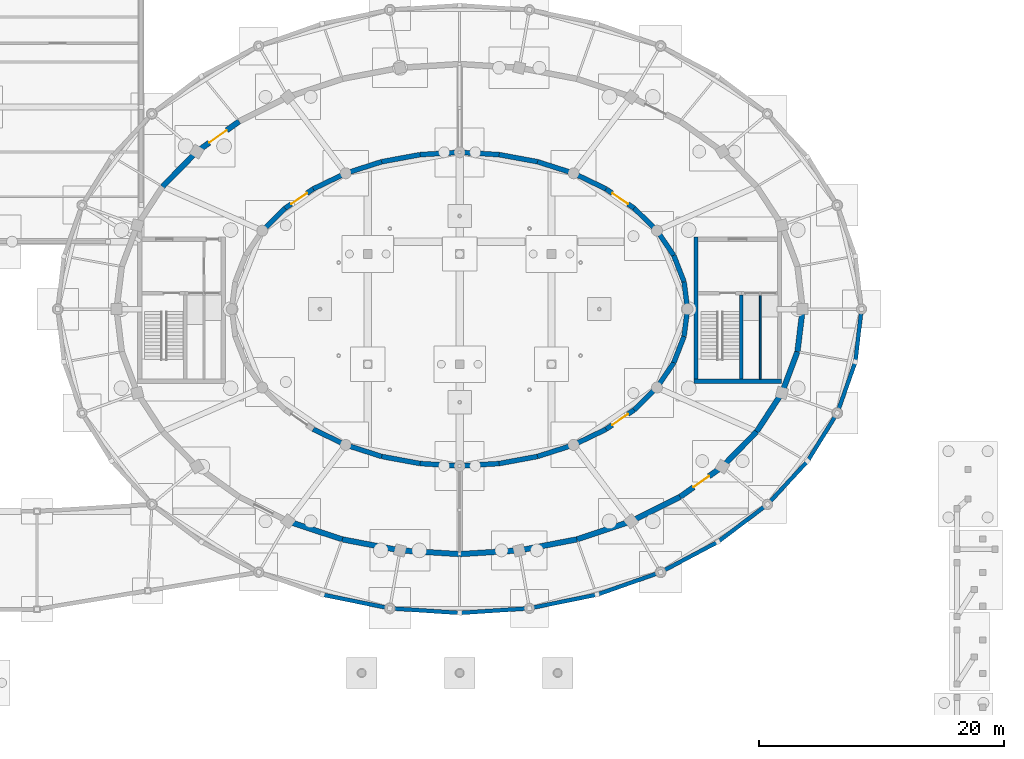
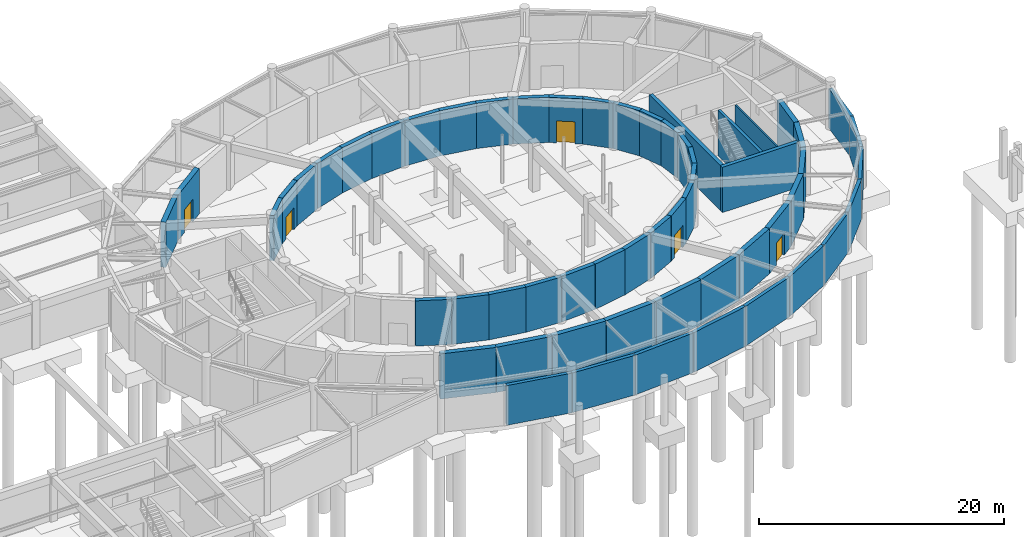
# One storey, part 21 of 42: 57 walls, 5 doors, 5 openings.
"""IFC4 building model written with IfcOpenShell, lengths in metres."""

import ifcopenshell
import ifcopenshell.guid

model = None  # the IFC model being written
_history = None  # IfcOwnerHistory: only IFC2X3 demands one
_inside = {}  # id of a spatial element -> (the spatial element, [elements in it])
_under = {}  # id of a project, library or spatial element -> (it, [spatial elements below it])
_declared = {}  # id of a project -> (the project, [libraries it declares])
_typed = {}  # id of a type object -> (the type object, [elements of that type])
_made_of = {}  # id of a material, layer set ... -> (it, [elements and type objects made of it])


def new_model(schema):
    """Start an empty IFC model of exactly this schema.

    Asked for "IFC4X3", IfcOpenShell would pick the latest addendum, in which some entities
    have other attributes; the version numbers below select the first issue.
    IFC2X3 requires an IfcOwnerHistory on every rooted entity: one is made here for all.
    """
    global model, _history
    if schema == "IFC4X3":
        model = ifcopenshell.file(schema_version=(4, 3, 0, 0))
    else:
        model = ifcopenshell.file(schema=schema)
    _inside.clear()
    _under.clear()
    _declared.clear()
    _typed.clear()
    _made_of.clear()
    _history = None
    if model.schema == "IFC2X3":
        org = make("IfcOrganization", Name="unknown")
        user = make(
            "IfcPersonAndOrganization",
            ThePerson=make("IfcPerson", FamilyName="unknown"),
            TheOrganization=org,
        )
        app = make(
            "IfcApplication",
            ApplicationDeveloper=org,
            Version="unknown",
            ApplicationFullName="unknown",
            ApplicationIdentifier="unknown",
        )
        _history = make(
            "IfcOwnerHistory",
            OwningUser=user,
            OwningApplication=app,
            ChangeAction="ADDED",
            CreationDate=0,
        )
    return model


def make(cls, **values):
    """One entity of the class cls with the attributes given. An attribute that is None is left unset."""
    return model.create_entity(
        cls, **{name: value for name, value in values.items() if value is not None}
    )


def rooted(cls, **values):
    """An entity with a GlobalId (a new one), such as an element, a storey or a relation."""
    return make(cls, GlobalId=ifcopenshell.guid.new(), OwnerHistory=_history, **values)


def si_unit(unit_type, name, prefix=None):
    """IfcSIUnit, for example si_unit("LENGTHUNIT", "METRE", prefix="MILLI")."""
    return make("IfcSIUnit", UnitType=unit_type, Prefix=prefix, Name=name)


def assignment(units):
    """IfcUnitAssignment: the units of a project."""
    return None if units is None else make("IfcUnitAssignment", Units=units)


def point(xyz):
    """IfcCartesianPoint."""
    return None if xyz is None else make("IfcCartesianPoint", Coordinates=xyz)


def direction(xyz):
    """IfcDirection."""
    return None if xyz is None else make("IfcDirection", DirectionRatios=xyz)


def frame(location, z_axis=None, x_axis=None):
    """IfcAxis2Placement3D, a coordinate frame: its origin and axes. An axis left out is left unset."""
    return make(
        "IfcAxis2Placement3D",
        Location=point(location),
        Axis=direction(z_axis),
        RefDirection=direction(x_axis),
    )


def frame_2d(location, x_axis=None):
    """IfcAxis2Placement2D, a coordinate frame in the plane: its origin and x axis."""
    return make(
        "IfcAxis2Placement2D", Location=point(location), RefDirection=direction(x_axis)
    )


def origin():
    """The frame at (0, 0, 0) with its axes left unset."""
    return frame((0.0, 0.0, 0.0))


def place(relative_to, where):
    """IfcLocalPlacement: puts the frame where relative to a parent placement (None: the world)."""
    return make(
        "IfcLocalPlacement", PlacementRelTo=relative_to, RelativePlacement=where
    )


def context(
    kind, dimensions, precision=None, world=None, true_north=None, identifier=None
):
    """IfcGeometricRepresentationContext, for example the 3D "Model" context."""
    return make(
        "IfcGeometricRepresentationContext",
        ContextIdentifier=identifier,
        ContextType=kind,
        CoordinateSpaceDimension=dimensions,
        Precision=precision,
        WorldCoordinateSystem=world,
        TrueNorth=true_north,
    )


def subcontext(parent, identifier, kind, view, scale=None):
    """IfcGeometricRepresentationSubContext, for example "Body" below "Model"."""
    return make(
        "IfcGeometricRepresentationSubContext",
        ContextIdentifier=identifier,
        ContextType=kind,
        ParentContext=parent,
        TargetScale=scale,
        TargetView=view,
    )


def project(units=None, contexts=None):
    """IfcProject with its units and contexts."""
    return rooted(
        "IfcProject",
        Name="project",
        RepresentationContexts=contexts,
        UnitsInContext=assignment(units),
    )


def spatial(cls, under=None, at=None, **own):
    """A site, building, storey or space (cls), placed at a placement, below another one or the project."""
    s = rooted(cls, ObjectPlacement=at, **own)
    if under is not None:
        _under.setdefault(under.id(), (under, []))[1].append(s)
    return s


def profile(cls, at=None, kind="AREA", **sizes):
    """A parametric profile (cls). Its sizes go by their IFC names, for example OverallWidth=200.0."""
    return make(cls, ProfileType=kind, Position=at, **sizes)


def rectangle(**sizes):
    """IfcRectangleProfileDef."""
    return profile("IfcRectangleProfileDef", **sizes)


def extrude(swept, where, along, depth):
    """IfcExtrudedAreaSolid: the profile swept, set in the frame where, extruded along a direction by depth."""
    return make(
        "IfcExtrudedAreaSolid",
        SweptArea=swept,
        Position=where,
        ExtrudedDirection=direction(along),
        Depth=depth,
    )


def shape(context_of_items, identifier, shape_type, items):
    """IfcShapeRepresentation: the items that make up one representation, for example the "Body"."""
    return make(
        "IfcShapeRepresentation",
        ContextOfItems=context_of_items,
        RepresentationIdentifier=identifier,
        RepresentationType=shape_type,
        Items=items,
    )


def material(Name=None, Category=None):
    """IfcMaterial."""
    return make("IfcMaterial", Name=Name, Category=Category)


def layer(
    of_material, thickness, ventilated=None, Name=None, Category=None, Priority=None
):
    """IfcMaterialLayer: one layer of a wall or slab, of a material (None: an air gap)."""
    return make(
        "IfcMaterialLayer",
        Material=of_material,
        LayerThickness=thickness,
        IsVentilated=ventilated,
        Name=Name,
        Category=Category,
        Priority=Priority,
    )


def layer_set(layers, Name=None):
    """IfcMaterialLayerSet."""
    return make("IfcMaterialLayerSet", MaterialLayers=layers, LayerSetName=Name)


def made_of(thing, what):
    """Note that an element or type object is made of a material, layer set ...; save() writes the relation."""
    if what is not None:
        _made_of.setdefault(what.id(), (what, []))[1].append(thing)
    return thing


def type_object(cls, material=None, **own):
    """A type object (cls), such as IfcWallType, which elements share."""
    return made_of(rooted(cls, **own), material)


def element(
    cls,
    number,
    at=None,
    inside=None,
    cuts=None,
    type_object=None,
    material=None,
    context=None,
    identifier="Body",
    shape_type=None,
    held_by="IfcProductDefinitionShape",
    body=None,
    shapes=None,
    **own,
):
    """One element of the class cls, such as IfcWall. Its Tag is "e" and its number.

    at: its placement. inside: the storey or other place that contains it. cuts: it is an
    opening in that element (IfcRelVoidsElement). A single representation is given by context,
    identifier, shape_type and body (its items); several are given by shapes. held_by: the class
    of the entity that holds the representations. save() writes the other relations.
    """
    e = rooted(cls, Tag="e%d" % number, ObjectPlacement=at, **own)
    if body is not None:
        shapes = [shape(context, identifier, shape_type, body)]
    if shapes is not None:
        e.Representation = make(held_by, Representations=shapes)
    if inside is not None:
        _inside.setdefault(inside.id(), (inside, []))[1].append(e)
    if cuts is not None:
        rooted(
            "IfcRelVoidsElement", RelatingBuildingElement=cuts, RelatedOpeningElement=e
        )
    if type_object is not None:
        _typed.setdefault(type_object.id(), (type_object, []))[1].append(e)
    return made_of(e, material)


def fill(opening, filler):
    """IfcRelFillsElement: the door or window that sits in an opening."""
    return rooted(
        "IfcRelFillsElement",
        RelatingOpeningElement=opening,
        RelatedBuildingElement=filler,
    )


def aggregate(whole, parts):
    """IfcRelAggregates: a whole, such as a stair, and the parts it consists of."""
    return rooted("IfcRelAggregates", RelatingObject=whole, RelatedObjects=parts)


def save(model, path):
    """Write the relations noted so far, then the file.

    IfcRelAggregates (storeys below a building ...), IfcRelContainedInSpatialStructure (elements
    in a storey), IfcRelDefinesByType, IfcRelAssociatesMaterial and IfcRelDeclares: one each for
    every whole, place, type object, material and project.
    """
    for whole, parts in _under.values():
        aggregate(whole, parts)
    for where, things in _inside.values():
        rooted(
            "IfcRelContainedInSpatialStructure",
            RelatedElements=things,
            RelatingStructure=where,
        )
    for kind, things in _typed.values():
        rooted("IfcRelDefinesByType", RelatedObjects=things, RelatingType=kind)
    for what, things in _made_of.values():
        rooted("IfcRelAssociatesMaterial", RelatedObjects=things, RelatingMaterial=what)
    for by, libraries in _declared.values():
        rooted("IfcRelDeclares", RelatingContext=by, RelatedDefinitions=libraries)
    model.write(path)


model = new_model("IFC4")

# Units and contexts
model_context = context("Model", 3, precision=1e-05, world=origin(), true_north=direction((0.0, 1.0)))
body_context = subcontext(model_context, "Body", "Model", "MODEL_VIEW")
ifc_project = project(units=[si_unit("LENGTHUNIT", "METRE"), si_unit("AREAUNIT", "SQUARE_METRE"), si_unit("VOLUMEUNIT", "CUBIC_METRE"), si_unit("PLANEANGLEUNIT", "RADIAN"), si_unit("MASSUNIT", "GRAM", prefix="KILO")], contexts=[model_context])

# Site, building, storey
site_placement = place(None, origin())
site = spatial("IfcSite", under=ifc_project, at=site_placement, CompositionType="ELEMENT")
building_placement = place(site_placement, origin())
building = spatial("IfcBuilding", under=site, at=building_placement, Name="Tarnveldt Headland Concert Hall", CompositionType="ELEMENT")
storey_placement = place(building_placement, frame((0.0, 0.0, -4.800048828125)))
storey = spatial("IfcBuildingStorey", under=building, at=storey_placement, Name="B1", CompositionType="ELEMENT", Elevation=-4.800048828125)

# Walls
ifc_material_1 = material(Name="Concrete C40/50", Category="concrete")
ifc_layer_1 = layer(ifc_material_1, 0.39990234375, Name="Concrete C40/50", Category="concrete")
ifc_layer_set_1 = layer_set([ifc_layer_1], Name="Concrete C40/50")
wall_type_1 = type_object("IfcWallType", Name="WL-AC400", PredefinedType="SOLIDWALL", material=ifc_layer_set_1)
wall_1_placement = place(storey_placement, frame((102.10009765625, 54.5, 0.0), z_axis=(0.0, 0.0, 1.0), x_axis=(-0.126180195213, 0.992007337844, 0.0)))
element("IfcWall", 1, at=wall_1_placement, inside=storey, type_object=wall_type_1, Name="Acoustic inner box wall B1-1", PredefinedType="SOLIDWALL", context=body_context, shape_type="SweptSolid", body=[
    extrude(rectangle(XDim=2.240478515625, YDim=0.39990234375, at=frame_2d((1.1201171875, 0.0))), origin(), (0.0, 0.0, 1.0), 4.5),
])
wall_2_placement = place(storey_placement, frame((101.8173828125, 56.72265625, 0.0), z_axis=(0.0, 0.0, 1.0), x_axis=(-0.362802811216, 0.931865934657, 0.0)))
element("IfcWall", 2, at=wall_2_placement, inside=storey, type_object=wall_type_1, Name="Acoustic inner box wall B1-2", PredefinedType="SOLIDWALL", context=body_context, shape_type="SweptSolid", body=[
    extrude(rectangle(XDim=2.312744140625, YDim=0.39990234375, at=frame_2d((1.15625, 0.0))), origin(), (0.0, 0.0, 1.0), 4.5),
])
wall_3_placement = place(storey_placement, frame((100.978271484375, 58.8779296875, 0.0), z_axis=(0.0, 0.0, 1.0), x_axis=(-0.560958648975, 0.827843822312, 0.0)))
element("IfcWall", 3, at=wall_3_placement, inside=storey, type_object=wall_type_1, Name="Acoustic inner box wall B1-3", PredefinedType="SOLIDWALL", context=body_context, shape_type="SweptSolid", body=[
    extrude(rectangle(XDim=2.4423828125, YDim=0.39990234375, at=frame_2d((1.22119140625, 0.0))), origin(), (0.0, 0.0, 1.0), 4.5),
])
wall_4_placement = place(storey_placement, frame((99.608154296875, 60.89990234375, 0.0), z_axis=(0.0, 0.0, 1.0), x_axis=(-0.713212431679, 0.700947949065, 0.0)))
element("IfcWall", 4, at=wall_4_placement, inside=storey, type_object=wall_type_1, Name="Acoustic inner box wall B1-4", PredefinedType="SOLIDWALL", context=body_context, shape_type="SweptSolid", body=[
    extrude(rectangle(XDim=2.607666015625, YDim=0.39990234375, at=frame_2d((1.3037109375, 0.0))), origin(), (0.0, 0.0, 1.0), 4.5),
])

# Wall, opening, door
wall_5_placement = place(storey_placement, frame((97.748291015625, 62.727783203125, 0.0), z_axis=(0.0, 0.0, 1.0), x_axis=(-0.823780742291, 0.566908536388, 0.0)))
wall_5 = element("IfcWall", 5, at=wall_5_placement, inside=storey, type_object=wall_type_1, Name="Acoustic inner box wall B1-5", PredefinedType="SOLIDWALL", context=body_context, shape_type="SweptSolid", body=[
    extrude(rectangle(XDim=2.782958984375, YDim=0.39990234375, at=frame_2d((1.3916015625, 0.0))), origin(), (0.0, 0.0, 1.0), 4.5),
])
opening_1_placement = place(wall_5_placement, frame((0.616455078125, 0.0, 0.0)))
opening_1 = element("IfcOpeningElement", 6, at=opening_1_placement, cuts=wall_5, Name="Opening AD-I025", PredefinedType="OPENING", context=body_context, shape_type="SweptSolid", body=[
    extrude(rectangle(XDim=1.550048828125, YDim=2.179931640625, at=frame_2d((0.77490234375, 1.08984375))), frame((0.0, 0.2099609375, 0.0), z_axis=(0.0, -1.0, 0.0), x_axis=(1.0, 0.0, 0.0)), (0.0, 0.0, 1.0), 0.419921875),
])
ifc_material_2 = material(Name="Treated East African mvule hardwood", Category="wood")
door_type_1 = type_object("IfcDoorType", Name="DR-AC155", OperationType="NOTDEFINED", PredefinedType="DOOR", material=ifc_material_2)
door_1_placement = place(opening_1_placement, origin())
door_1 = element("IfcDoor", 7, at=door_1_placement, inside=storey, type_object=door_type_1, Name="Auditorium sound-lock vomitory door B1-5", OperationType="SINGLE_SWING_LEFT", OverallHeight=2.179931640625, OverallWidth=1.550048828125, PredefinedType="DOOR", context=body_context, shape_type="SweptSolid", body=[
    extrude(rectangle(XDim=1.550048828125, YDim=2.179931640625, at=frame_2d((0.77490234375, 1.08984375))), frame((0.0, 0.02490234375, 0.0), z_axis=(0.0, -1.0, 0.0), x_axis=(1.0, 0.0, 0.0)), (0.0, 0.0, 1.0), 0.050048828125),
])
fill(opening_1, door_1)

# Walls
wall_6_placement = place(storey_placement, frame((95.455810546875, 64.305419921875, 0.0), z_axis=(0.0, 0.0, 1.0), x_axis=(-0.900857755122, 0.434114391648, 0.0)))
element("IfcWall", 8, at=wall_6_placement, inside=storey, type_object=wall_type_1, Name="Acoustic inner box wall B1-6", PredefinedType="SOLIDWALL", context=body_context, shape_type="SweptSolid", body=[
    extrude(rectangle(XDim=2.947998046875, YDim=0.39990234375, at=frame_2d((1.47412109375, 0.0))), origin(), (0.0, 0.0, 1.0), 4.5),
])
wall_7_placement = place(storey_placement, frame((92.800048828125, 65.585205078125, 0.0), z_axis=(0.0, 0.0, 1.0), x_axis=(-0.952183186678, 0.305527705795, 0.0)))
element("IfcWall", 9, at=wall_7_placement, inside=storey, type_object=wall_type_1, Name="Acoustic inner box wall B1-7", PredefinedType="SOLIDWALL", context=body_context, shape_type="SweptSolid", body=[
    extrude(rectangle(XDim=3.0859375, YDim=0.39990234375, at=frame_2d((1.54296875, 0.0))), origin(), (0.0, 0.0, 1.0), 4.5),
])
wall_8_placement = place(storey_placement, frame((89.861572265625, 66.528076171875, 0.0), z_axis=(0.0, 0.0, 1.0), x_axis=(-0.9834240594, 0.18132048807, 0.0)))
element("IfcWall", 10, at=wall_8_placement, inside=storey, type_object=wall_type_1, Name="Acoustic inner box wall B1-8", PredefinedType="SOLIDWALL", context=body_context, shape_type="SweptSolid", body=[
    extrude(rectangle(XDim=3.184326171875, YDim=0.39990234375, at=frame_2d((1.59228515625, 0.0))), origin(), (0.0, 0.0, 1.0), 4.5),
])
for number, where, z_axis, x_axis, name in (
    (11, (86.72998046875, 67.10546875, 0.0), (0.0, 0.0, 1.0), (-0.99819038223, 0.060132859761, 0.0), "Acoustic inner box wall B1-9"),
    (12, (83.5, 67.300048828125, 0.0), (0.0, 0.0, 1.0), (-0.99819038223, -0.060132859761, 0.0), "Acoustic inner box wall B1-10"),
):
    element("IfcWall", number, at=place(storey_placement, frame(where, z_axis=z_axis, x_axis=x_axis)), inside=storey, type_object=wall_type_1, Name=name, PredefinedType="SOLIDWALL", context=body_context, shape_type="SweptSolid", body=[
        extrude(rectangle(XDim=3.23583984375, YDim=0.39990234375, at=frame_2d((1.617919921875, 0.0))), origin(), (0.0, 0.0, 1.0), 4.5),
    ])
wall_9_placement = place(storey_placement, frame((80.27001953125, 67.10546875, 0.0), z_axis=(0.0, 0.0, 1.0), x_axis=(-0.9834240594, -0.18132048807, 0.0)))
element("IfcWall", 13, at=wall_9_placement, inside=storey, type_object=wall_type_1, Name="Acoustic inner box wall B1-11", PredefinedType="SOLIDWALL", context=body_context, shape_type="SweptSolid", body=[
    extrude(rectangle(XDim=3.184326171875, YDim=0.39990234375, at=frame_2d((1.59228515625, 0.0))), origin(), (0.0, 0.0, 1.0), 4.5),
])
wall_10_placement = place(storey_placement, frame((77.138427734375, 66.528076171875, 0.0), z_axis=(0.0, 0.0, 1.0), x_axis=(-0.952183186678, -0.305527705795, 0.0)))
element("IfcWall", 14, at=wall_10_placement, inside=storey, type_object=wall_type_1, Name="Acoustic inner box wall B1-12", PredefinedType="SOLIDWALL", context=body_context, shape_type="SweptSolid", body=[
    extrude(rectangle(XDim=3.0859375, YDim=0.39990234375, at=frame_2d((1.54296875, 0.0))), origin(), (0.0, 0.0, 1.0), 4.5),
])
wall_11_placement = place(storey_placement, frame((74.199951171875, 65.585205078125, 0.0), z_axis=(0.0, 0.0, 1.0), x_axis=(-0.900857755122, -0.434114391648, 0.0)))
element("IfcWall", 15, at=wall_11_placement, inside=storey, type_object=wall_type_1, Name="Acoustic inner box wall B1-13", PredefinedType="SOLIDWALL", context=body_context, shape_type="SweptSolid", body=[
    extrude(rectangle(XDim=2.947998046875, YDim=0.39990234375, at=frame_2d((1.47412109375, 0.0))), origin(), (0.0, 0.0, 1.0), 4.5),
])

# Wall, opening, door
wall_12_placement = place(storey_placement, frame((71.544189453125, 64.305419921875, 0.0), z_axis=(0.0, 0.0, 1.0), x_axis=(-0.823780742291, -0.566908536388, 0.0)))
wall_12 = element("IfcWall", 16, at=wall_12_placement, inside=storey, type_object=wall_type_1, Name="Acoustic inner box wall B1-14", PredefinedType="SOLIDWALL", context=body_context, shape_type="SweptSolid", body=[
    extrude(rectangle(XDim=2.782958984375, YDim=0.39990234375, at=frame_2d((1.3916015625, 0.0))), origin(), (0.0, 0.0, 1.0), 4.5),
])
opening_2_placement = place(wall_12_placement, frame((0.616455078125, 0.0, 0.0)))
opening_2 = element("IfcOpeningElement", 17, at=opening_2_placement, cuts=wall_12, Name="Opening AD-I026", PredefinedType="OPENING", context=body_context, shape_type="SweptSolid", body=[
    extrude(rectangle(XDim=1.550048828125, YDim=2.179931640625, at=frame_2d((0.77490234375, 1.08984375))), frame((0.0, 0.2099609375, 0.0), z_axis=(0.0, -1.0, 0.0), x_axis=(1.0, 0.0, 0.0)), (0.0, 0.0, 1.0), 0.419921875),
])
door_2_placement = place(opening_2_placement, origin())
door_2 = element("IfcDoor", 18, at=door_2_placement, inside=storey, type_object=door_type_1, Name="Auditorium sound-lock vomitory door B1-14", OperationType="SINGLE_SWING_RIGHT", OverallHeight=2.179931640625, OverallWidth=1.550048828125, PredefinedType="DOOR", context=body_context, shape_type="SweptSolid", body=[
    extrude(rectangle(XDim=1.550048828125, YDim=2.179931640625, at=frame_2d((0.77490234375, 1.08984375))), frame((0.0, 0.02490234375, 0.0), z_axis=(0.0, -1.0, 0.0), x_axis=(1.0, 0.0, 0.0)), (0.0, 0.0, 1.0), 0.050048828125),
])
fill(opening_2, door_2)

# Walls
wall_13_placement = place(storey_placement, frame((69.251708984375, 62.727783203125, 0.0), z_axis=(0.0, 0.0, 1.0), x_axis=(-0.713212431679, -0.700947949065, 0.0)))
element("IfcWall", 19, at=wall_13_placement, inside=storey, type_object=wall_type_1, Name="Acoustic inner box wall B1-15", PredefinedType="SOLIDWALL", context=body_context, shape_type="SweptSolid", body=[
    extrude(rectangle(XDim=2.607666015625, YDim=0.39990234375, at=frame_2d((1.3037109375, 0.0))), origin(), (0.0, 0.0, 1.0), 4.5),
])
wall_14_placement = place(storey_placement, frame((71.544189453125, 44.694580078125, 0.0), z_axis=(0.0, 0.0, 1.0), x_axis=(0.900857755122, -0.434114391648, 0.0)))
element("IfcWall", 20, at=wall_14_placement, inside=storey, type_object=wall_type_1, Name="Acoustic inner box wall B1-24", PredefinedType="SOLIDWALL", context=body_context, shape_type="SweptSolid", body=[
    extrude(rectangle(XDim=2.947998046875, YDim=0.39990234375, at=frame_2d((1.47412109375, 0.0))), origin(), (0.0, 0.0, 1.0), 4.5),
])
wall_15_placement = place(storey_placement, frame((74.199951171875, 43.414794921875, 0.0), z_axis=(0.0, 0.0, 1.0), x_axis=(0.952183186678, -0.305527705795, 0.0)))
element("IfcWall", 21, at=wall_15_placement, inside=storey, type_object=wall_type_1, Name="Acoustic inner box wall B1-25", PredefinedType="SOLIDWALL", context=body_context, shape_type="SweptSolid", body=[
    extrude(rectangle(XDim=3.0859375, YDim=0.39990234375, at=frame_2d((1.54296875, 0.0))), origin(), (0.0, 0.0, 1.0), 4.5),
])
wall_16_placement = place(storey_placement, frame((77.138427734375, 42.471923828125, 0.0), z_axis=(0.0, 0.0, 1.0), x_axis=(0.9834240594, -0.18132048807, 0.0)))
element("IfcWall", 22, at=wall_16_placement, inside=storey, type_object=wall_type_1, Name="Acoustic inner box wall B1-26", PredefinedType="SOLIDWALL", context=body_context, shape_type="SweptSolid", body=[
    extrude(rectangle(XDim=3.184326171875, YDim=0.39990234375, at=frame_2d((1.59228515625, 0.0))), origin(), (0.0, 0.0, 1.0), 4.5),
])
for number, where, z_axis, x_axis, name in (
    (23, (80.27001953125, 41.89453125, 0.0), (0.0, 0.0, 1.0), (0.99819038223, -0.060132859761, 0.0), "Acoustic inner box wall B1-27"),
    (24, (83.5, 41.699951171875, 0.0), (0.0, 0.0, 1.0), (0.99819038223, 0.060132859761, 0.0), "Acoustic inner box wall B1-28"),
):
    element("IfcWall", number, at=place(storey_placement, frame(where, z_axis=z_axis, x_axis=x_axis)), inside=storey, type_object=wall_type_1, Name=name, PredefinedType="SOLIDWALL", context=body_context, shape_type="SweptSolid", body=[
        extrude(rectangle(XDim=3.23583984375, YDim=0.39990234375, at=frame_2d((1.617919921875, 0.0))), origin(), (0.0, 0.0, 1.0), 4.5),
    ])
wall_17_placement = place(storey_placement, frame((86.72998046875, 41.89453125, 0.0), z_axis=(0.0, 0.0, 1.0), x_axis=(0.9834240594, 0.18132048807, 0.0)))
element("IfcWall", 25, at=wall_17_placement, inside=storey, type_object=wall_type_1, Name="Acoustic inner box wall B1-29", PredefinedType="SOLIDWALL", context=body_context, shape_type="SweptSolid", body=[
    extrude(rectangle(XDim=3.184326171875, YDim=0.39990234375, at=frame_2d((1.59228515625, 0.0))), origin(), (0.0, 0.0, 1.0), 4.5),
])
wall_18_placement = place(storey_placement, frame((89.861572265625, 42.471923828125, 0.0), z_axis=(0.0, 0.0, 1.0), x_axis=(0.952183186678, 0.305527705795, 0.0)))
element("IfcWall", 26, at=wall_18_placement, inside=storey, type_object=wall_type_1, Name="Acoustic inner box wall B1-30", PredefinedType="SOLIDWALL", context=body_context, shape_type="SweptSolid", body=[
    extrude(rectangle(XDim=3.0859375, YDim=0.39990234375, at=frame_2d((1.54296875, 0.0))), origin(), (0.0, 0.0, 1.0), 4.5),
])
wall_19_placement = place(storey_placement, frame((92.800048828125, 43.414794921875, 0.0), z_axis=(0.0, 0.0, 1.0), x_axis=(0.900857755122, 0.434114391648, 0.0)))
element("IfcWall", 27, at=wall_19_placement, inside=storey, type_object=wall_type_1, Name="Acoustic inner box wall B1-31", PredefinedType="SOLIDWALL", context=body_context, shape_type="SweptSolid", body=[
    extrude(rectangle(XDim=2.947998046875, YDim=0.39990234375, at=frame_2d((1.47412109375, 0.0))), origin(), (0.0, 0.0, 1.0), 4.5),
])

# Wall, opening, door
wall_20_placement = place(storey_placement, frame((95.455810546875, 44.694580078125, 0.0), z_axis=(0.0, 0.0, 1.0), x_axis=(0.823780742291, 0.566908536388, 0.0)))
wall_20 = element("IfcWall", 28, at=wall_20_placement, inside=storey, type_object=wall_type_1, Name="Acoustic inner box wall B1-32", PredefinedType="SOLIDWALL", context=body_context, shape_type="SweptSolid", body=[
    extrude(rectangle(XDim=2.782958984375, YDim=0.39990234375, at=frame_2d((1.3916015625, 0.0))), origin(), (0.0, 0.0, 1.0), 4.5),
])
opening_3_placement = place(wall_20_placement, frame((0.616455078125, 0.0, 0.0)))
opening_3 = element("IfcOpeningElement", 29, at=opening_3_placement, cuts=wall_20, Name="Opening AD-I028", PredefinedType="OPENING", context=body_context, shape_type="SweptSolid", body=[
    extrude(rectangle(XDim=1.550048828125, YDim=2.179931640625, at=frame_2d((0.77490234375, 1.08984375))), frame((0.0, 0.2099609375, 0.0), z_axis=(0.0, -1.0, 0.0), x_axis=(1.0, 0.0, 0.0)), (0.0, 0.0, 1.0), 0.419921875),
])
door_3_placement = place(opening_3_placement, origin())
door_3 = element("IfcDoor", 30, at=door_3_placement, inside=storey, type_object=door_type_1, Name="Auditorium sound-lock vomitory door B1-32", OperationType="SINGLE_SWING_RIGHT", OverallHeight=2.179931640625, OverallWidth=1.550048828125, PredefinedType="DOOR", context=body_context, shape_type="SweptSolid", body=[
    extrude(rectangle(XDim=1.550048828125, YDim=2.179931640625, at=frame_2d((0.77490234375, 1.08984375))), frame((0.0, 0.02490234375, 0.0), z_axis=(0.0, -1.0, 0.0), x_axis=(1.0, 0.0, 0.0)), (0.0, 0.0, 1.0), 0.050048828125),
])
fill(opening_3, door_3)

# Walls
wall_21_placement = place(storey_placement, frame((97.748291015625, 46.272216796875, 0.0), z_axis=(0.0, 0.0, 1.0), x_axis=(0.713212431679, 0.700947949065, 0.0)))
element("IfcWall", 31, at=wall_21_placement, inside=storey, type_object=wall_type_1, Name="Acoustic inner box wall B1-33", PredefinedType="SOLIDWALL", context=body_context, shape_type="SweptSolid", body=[
    extrude(rectangle(XDim=2.607666015625, YDim=0.39990234375, at=frame_2d((1.3037109375, 0.0))), origin(), (0.0, 0.0, 1.0), 4.5),
])
wall_22_placement = place(storey_placement, frame((99.608154296875, 48.10009765625, 0.0), z_axis=(0.0, 0.0, 1.0), x_axis=(0.560958648975, 0.827843822312, 0.0)))
element("IfcWall", 32, at=wall_22_placement, inside=storey, type_object=wall_type_1, Name="Acoustic inner box wall B1-34", PredefinedType="SOLIDWALL", context=body_context, shape_type="SweptSolid", body=[
    extrude(rectangle(XDim=2.4423828125, YDim=0.39990234375, at=frame_2d((1.22119140625, 0.0))), origin(), (0.0, 0.0, 1.0), 4.5),
])
wall_23_placement = place(storey_placement, frame((100.978271484375, 50.1220703125, 0.0), z_axis=(0.0, 0.0, 1.0), x_axis=(0.362802811216, 0.931865934657, 0.0)))
element("IfcWall", 33, at=wall_23_placement, inside=storey, type_object=wall_type_1, Name="Acoustic inner box wall B1-35", PredefinedType="SOLIDWALL", context=body_context, shape_type="SweptSolid", body=[
    extrude(rectangle(XDim=2.312744140625, YDim=0.39990234375, at=frame_2d((1.15625, 0.0))), origin(), (0.0, 0.0, 1.0), 4.5),
])
wall_24_placement = place(storey_placement, frame((101.8173828125, 52.27734375, 0.0), z_axis=(0.0, 0.0, 1.0), x_axis=(0.126180195213, 0.992007337844, 0.0)))
element("IfcWall", 34, at=wall_24_placement, inside=storey, type_object=wall_type_1, Name="Acoustic inner box wall B1-36", PredefinedType="SOLIDWALL", context=body_context, shape_type="SweptSolid", body=[
    extrude(rectangle(XDim=2.240478515625, YDim=0.39990234375, at=frame_2d((1.1201171875, 0.0))), origin(), (0.0, 0.0, 1.0), 4.5),
])
ifc_layer_2 = layer(ifc_material_1, 0.35009765625, Name="Concrete C40/50", Category="concrete")
ifc_layer_set_2 = layer_set([ifc_layer_2], Name="Concrete C40/50")
wall_type_2 = type_object("IfcWallType", Name="WL-CR350", PredefinedType="SHEAR", material=ifc_layer_set_2)
wall_25_placement = place(storey_placement, frame((102.625, 48.60009765625, 0.0), z_axis=(0.0, 0.0, 1.0), x_axis=(1.0, 0.0, 0.0)))
element("IfcWall", 35, at=wall_25_placement, inside=storey, type_object=wall_type_2, Name="Core C2 south shear wall B1", PredefinedType="SHEAR", context=body_context, shape_type="SweptSolid", body=[
    extrude(rectangle(XDim=7.14990234375, YDim=0.35009765625, at=frame_2d((3.574951171875, 0.0))), origin(), (0.0, 0.0, 1.0), 4.5),
])
wall_26_placement = place(storey_placement, frame((102.800048828125, 48.77490234375, 0.0), z_axis=(0.0, 0.0, 1.0), x_axis=(0.0, 1.0, 0.0)))
element("IfcWall", 36, at=wall_26_placement, inside=storey, type_object=wall_type_2, Name="Core C2 west shear wall B1", PredefinedType="SHEAR", context=body_context, shape_type="SweptSolid", body=[
    extrude(rectangle(XDim=11.60009765625, YDim=0.35009765625, at=frame_2d((5.800048828125, 0.0))), origin(), (0.0, 0.0, 1.0), 4.5),
])
ifc_material_3 = material(Name="Coral-toned precast concrete C40/50", Category="concrete")
ifc_layer_3 = layer(ifc_material_3, 0.324951171875, Name="Coral-toned precast concrete C40/50", Category="concrete")
ifc_layer_set_3 = layer_set([ifc_layer_3], Name="Coral-toned precast concrete C40/50")
wall_type_3 = type_object("IfcWallType", Name="WL-EX325", PredefinedType="SOLIDWALL", material=ifc_layer_set_3)
wall_27_placement = place(storey_placement, frame((77.78466796875, 30.080810546875, 0.0), z_axis=(0.0, 0.0, 1.0), x_axis=(-0.980090933481, 0.198549142802, 0.0)))
element("IfcWall", 37, at=wall_27_placement, inside=storey, type_object=wall_type_3, Name="External precast wall B1-26", PredefinedType="SOLIDWALL", context=body_context, shape_type="SweptSolid", body=[
    extrude(rectangle(XDim=5.5947265625, YDim=0.324951171875, at=frame_2d((2.79736328125, 0.0))), origin(), (0.0, 0.0, 1.0), 3.949951171875),
])
for number, where, z_axis, x_axis, name in (
    (38, (83.47998046875, 29.701416015625, 0.0), (0.0, 0.0, 1.0), (-0.997820465323, 0.065987263786, 0.0), "External precast wall B1-27"),
    (39, (89.17578125, 30.075439453125, 0.0), (0.0, 0.0, 1.0), (-0.997820465323, -0.065987263786, 0.0), "External precast wall B1-28"),
):
    element("IfcWall", number, at=place(storey_placement, frame(where, z_axis=z_axis, x_axis=x_axis)), inside=storey, type_object=wall_type_3, Name=name, PredefinedType="SOLIDWALL", context=body_context, shape_type="SweptSolid", body=[
        extrude(rectangle(XDim=5.668212890625, YDim=0.324951171875, at=frame_2d((2.833984375, 0.0))), origin(), (0.0, 0.0, 1.0), 3.949951171875),
    ])
wall_28_placement = place(storey_placement, frame((94.69873046875, 31.191650390625, 0.0), z_axis=(0.0, 0.0, 1.0), x_axis=(-0.980090933481, -0.198549142802, 0.0)))
element("IfcWall", 40, at=wall_28_placement, inside=storey, type_object=wall_type_3, Name="External precast wall B1-29", PredefinedType="SOLIDWALL", context=body_context, shape_type="SweptSolid", body=[
    extrude(rectangle(XDim=5.5947265625, YDim=0.324951171875, at=frame_2d((2.79736328125, 0.0))), origin(), (0.0, 0.0, 1.0), 3.949951171875),
])
wall_29_placement = place(storey_placement, frame((99.881103515625, 33.015869140625, 0.0), z_axis=(0.0, 0.0, 1.0), x_axis=(-0.943104319689, -0.332496980713, 0.0)))
element("IfcWall", 41, at=wall_29_placement, inside=storey, type_object=wall_type_3, Name="External precast wall B1-30", PredefinedType="SOLIDWALL", context=body_context, shape_type="SweptSolid", body=[
    extrude(rectangle(XDim=5.4541015625, YDim=0.324951171875, at=frame_2d((2.72705078125, 0.0))), origin(), (0.0, 0.0, 1.0), 3.949951171875),
])
wall_30_placement = place(storey_placement, frame((104.565673828125, 35.49267578125, 0.0), z_axis=(0.0, 0.0, 1.0), x_axis=(-0.883786787155, -0.467889853332, 0.0)))
element("IfcWall", 42, at=wall_30_placement, inside=storey, type_object=wall_type_3, Name="External precast wall B1-31", PredefinedType="SOLIDWALL", context=body_context, shape_type="SweptSolid", body=[
    extrude(rectangle(XDim=5.259033203125, YDim=0.324951171875, at=frame_2d((2.62939453125, 0.0))), origin(), (0.0, 0.0, 1.0), 3.949951171875),
])
wall_31_placement = place(storey_placement, frame((108.6103515625, 38.546875, 0.0), z_axis=(0.0, 0.0, 1.0), x_axis=(-0.797657622226, -0.60311053523, 0.0)))
element("IfcWall", 43, at=wall_31_placement, inside=storey, type_object=wall_type_3, Name="External precast wall B1-32", PredefinedType="SOLIDWALL", context=body_context, shape_type="SweptSolid", body=[
    extrude(rectangle(XDim=5.028564453125, YDim=0.324951171875, at=frame_2d((2.51416015625, 0.0))), origin(), (0.0, 0.0, 1.0), 3.949951171875),
])
wall_32_placement = place(storey_placement, frame((111.89208984375, 42.085205078125, 0.0), z_axis=(0.0, 0.0, 1.0), x_axis=(-0.679476177226, -0.733697570244, 0.0)))
element("IfcWall", 44, at=wall_32_placement, inside=storey, type_object=wall_type_3, Name="External precast wall B1-33", PredefinedType="SOLIDWALL", context=body_context, shape_type="SweptSolid", body=[
    extrude(rectangle(XDim=4.786376953125, YDim=0.324951171875, at=frame_2d((2.39306640625, 0.0))), origin(), (0.0, 0.0, 1.0), 3.949951171875),
])
wall_33_placement = place(storey_placement, frame((114.311279296875, 46.0009765625, 0.0), z_axis=(0.0, 0.0, 1.0), x_axis=(-0.524906145614, -0.851160113197, 0.0)))
element("IfcWall", 45, at=wall_33_placement, inside=storey, type_object=wall_type_3, Name="External precast wall B1-34", PredefinedType="SOLIDWALL", context=body_context, shape_type="SweptSolid", body=[
    extrude(rectangle(XDim=4.563232421875, YDim=0.324951171875, at=frame_2d((2.28173828125, 0.0))), origin(), (0.0, 0.0, 1.0), 3.949951171875),
])
wall_34_placement = place(storey_placement, frame((115.794921875, 50.174560546875, 0.0), z_axis=(0.0, 0.0, 1.0), x_axis=(-0.334024212389, -0.9425644941, 0.0)))
element("IfcWall", 46, at=wall_34_placement, inside=storey, type_object=wall_type_3, Name="External precast wall B1-35", PredefinedType="SOLIDWALL", context=body_context, shape_type="SweptSolid", body=[
    extrude(rectangle(XDim=4.389892578125, YDim=0.324951171875, at=frame_2d((2.19482421875, 0.0))), origin(), (0.0, 0.0, 1.0), 3.949951171875),
])
wall_35_placement = place(storey_placement, frame((116.297607421875, 54.47998046875, 0.0), z_axis=(0.0, 0.0, 1.0), x_axis=(-0.114934784028, -0.993373039407, 0.0)))
element("IfcWall", 47, at=wall_35_placement, inside=storey, type_object=wall_type_3, Name="External precast wall B1-36", PredefinedType="SOLIDWALL", context=body_context, shape_type="SweptSolid", body=[
    extrude(rectangle(XDim=4.295166015625, YDim=0.324951171875, at=frame_2d((2.1474609375, 0.0))), origin(), (0.0, 0.0, 1.0), 3.949951171875),
])
ifc_material_4 = material(Name="Acoustic multi-layer gypsum and mineral-wool partition", Category="gypsum")
ifc_layer_4 = layer(ifc_material_4, 0.14990234375, Name="Acoustic multi-layer gypsum and mineral-wool partition", Category="gypsum")
ifc_layer_set_4 = layer_set([ifc_layer_4], Name="Acoustic multi-layer gypsum and mineral-wool partition")
wall_type_4 = type_object("IfcWallType", Name="WL-PT150", PredefinedType="PARTITIONING", material=ifc_layer_set_4)
wall_36_placement = place(storey_placement, frame((108.032470703125, 48.77490234375, 0.0), z_axis=(0.0, 0.0, 1.0), x_axis=(0.0, 1.0, 0.0)))
element("IfcWall", 48, at=wall_36_placement, inside=storey, type_object=wall_type_4, Name="Core C2 twin lift divider B1", PredefinedType="PARTITIONING", context=body_context, shape_type="SweptSolid", body=[
    extrude(rectangle(XDim=6.8251953125, YDim=0.14990234375, at=frame_2d((3.41259765625, 0.0))), origin(), (0.0, 0.0, 1.0), 4.494140625),
])

# Wall, opening, door
ifc_layer_5 = layer(ifc_material_1, 0.449951171875, Name="Concrete C40/50", Category="concrete")
ifc_layer_set_5 = layer_set([ifc_layer_5], Name="Concrete C40/50")
wall_type_5 = type_object("IfcWallType", Name="WL-RT450", PredefinedType="SHEAR", material=ifc_layer_set_5)
wall_37_placement = place(storey_placement, frame((65.501953125, 69.82080078125, 0.0), z_axis=(0.0, 0.0, 1.0), x_axis=(-0.813737360708, -0.581232748378, 0.0)))
wall_37 = element("IfcWall", 49, at=wall_37_placement, inside=storey, type_object=wall_type_5, Name="Symphony drum shear wall B1-14", PredefinedType="SHEAR", context=body_context, shape_type="SweptSolid", body=[
    extrude(rectangle(XDim=4.2412109375, YDim=0.449951171875, at=frame_2d((2.12060546875, 0.0))), origin(), (0.0, 0.0, 1.0), 4.5),
])
opening_4_placement = place(wall_37_placement, frame((1.24560546875, 0.0, 0.0)))
opening_4 = element("IfcOpeningElement", 50, at=opening_4_placement, cuts=wall_37, Name="Opening AD-O002", PredefinedType="OPENING", context=body_context, shape_type="SweptSolid", body=[
    extrude(rectangle(XDim=1.75, YDim=2.25, at=frame_2d((0.875, 1.125))), frame((0.0, 0.23486328125, 0.0), z_axis=(0.0, -1.0, 0.0), x_axis=(1.0, 0.0, 0.0)), (0.0, 0.0, 1.0), 0.469970703125),
])
door_type_2 = type_object("IfcDoorType", Name="DR-AC175", OperationType="NOTDEFINED", PredefinedType="DOOR", material=ifc_material_2)
door_4_placement = place(opening_4_placement, origin())
door_4 = element("IfcDoor", 51, at=door_4_placement, inside=storey, type_object=door_type_2, Name="Drum concourse acoustic door B1-14", OperationType="SINGLE_SWING_RIGHT", OverallHeight=2.25, OverallWidth=1.75, PredefinedType="DOOR", context=body_context, shape_type="SweptSolid", body=[
    extrude(rectangle(XDim=1.75, YDim=2.25, at=frame_2d((0.875, 1.125))), frame((0.0, 0.02490234375, 0.0), z_axis=(0.0, -1.0, 0.0), x_axis=(1.0, 0.0, 0.0)), (0.0, 0.0, 1.0), 0.050048828125),
])
fill(opening_4, door_4)

# Walls
wall_38_placement = place(storey_placement, frame((62.05078125, 67.355712890625, 0.0), z_axis=(0.0, 0.0, 1.0), x_axis=(-0.700051268358, -0.714092586203, 0.0)))
element("IfcWall", 52, at=wall_38_placement, inside=storey, type_object=wall_type_5, Name="Symphony drum shear wall B1-15", PredefinedType="SHEAR", context=body_context, shape_type="SweptSolid", body=[
    extrude(rectangle(XDim=3.9990234375, YDim=0.449951171875, at=frame_2d((1.99951171875, 0.0))), origin(), (0.0, 0.0, 1.0), 4.5),
])
wall_39_placement = place(storey_placement, frame((69.5, 37.179443359375, 0.0), z_axis=(0.0, 0.0, 1.0), x_axis=(0.948751350732, -0.316023534699, 0.0)))
element("IfcWall", 53, at=wall_39_placement, inside=storey, type_object=wall_type_5, Name="Symphony drum shear wall B1-25", PredefinedType="SHEAR", context=body_context, shape_type="SweptSolid", body=[
    extrude(rectangle(XDim=4.662353515625, YDim=0.449951171875, at=frame_2d((2.3310546875, 0.0))), origin(), (0.0, 0.0, 1.0), 4.5),
])
wall_40_placement = place(storey_placement, frame((73.92333984375, 35.7060546875, 0.0), z_axis=(0.0, 0.0, 1.0), x_axis=(0.982172578083, -0.187981453503, 0.0)))
element("IfcWall", 54, at=wall_40_placement, inside=storey, type_object=wall_type_5, Name="Symphony drum shear wall B1-26", PredefinedType="SHEAR", context=body_context, shape_type="SweptSolid", body=[
    extrude(rectangle(XDim=4.80029296875, YDim=0.449951171875, at=frame_2d((2.400146484375, 0.0))), origin(), (0.0, 0.0, 1.0), 4.5),
])
for number, where, z_axis, x_axis, name in (
    (55, (78.637939453125, 34.8037109375, 0.0), (0.0, 0.0, 1.0), (0.998054722924, -0.06234396562, 0.0), "Symphony drum shear wall B1-27"),
    (56, (83.5, 34.5, 0.0), (0.0, 0.0, 1.0), (0.998054722924, 0.06234396562, 0.0), "Symphony drum shear wall B1-28"),
):
    element("IfcWall", number, at=place(storey_placement, frame(where, z_axis=z_axis, x_axis=x_axis)), inside=storey, type_object=wall_type_5, Name=name, PredefinedType="SHEAR", context=body_context, shape_type="SweptSolid", body=[
        extrude(rectangle(XDim=4.87158203125, YDim=0.449951171875, at=frame_2d((2.435791015625, 0.0))), origin(), (0.0, 0.0, 1.0), 4.5),
    ])
wall_41_placement = place(storey_placement, frame((88.362060546875, 34.8037109375, 0.0), z_axis=(0.0, 0.0, 1.0), x_axis=(0.982172578083, 0.187981453503, 0.0)))
element("IfcWall", 57, at=wall_41_placement, inside=storey, type_object=wall_type_5, Name="Symphony drum shear wall B1-29", PredefinedType="SHEAR", context=body_context, shape_type="SweptSolid", body=[
    extrude(rectangle(XDim=4.80029296875, YDim=0.449951171875, at=frame_2d((2.400146484375, 0.0))), origin(), (0.0, 0.0, 1.0), 4.5),
])
wall_42_placement = place(storey_placement, frame((93.07666015625, 35.7060546875, 0.0), z_axis=(0.0, 0.0, 1.0), x_axis=(0.948751350732, 0.316023534699, 0.0)))
element("IfcWall", 58, at=wall_42_placement, inside=storey, type_object=wall_type_5, Name="Symphony drum shear wall B1-30", PredefinedType="SHEAR", context=body_context, shape_type="SweptSolid", body=[
    extrude(rectangle(XDim=4.662353515625, YDim=0.449951171875, at=frame_2d((2.3310546875, 0.0))), origin(), (0.0, 0.0, 1.0), 4.5),
])
wall_43_placement = place(storey_placement, frame((97.5, 37.179443359375, 0.0), z_axis=(0.0, 0.0, 1.0), x_axis=(0.894361644392, 0.447344664705, 0.0)))
element("IfcWall", 59, at=wall_43_placement, inside=storey, type_object=wall_type_5, Name="Symphony drum shear wall B1-31", PredefinedType="SHEAR", context=body_context, shape_type="SweptSolid", body=[
    extrude(rectangle(XDim=4.47021484375, YDim=0.449951171875, at=frame_2d((2.235107421875, 0.0))), origin(), (0.0, 0.0, 1.0), 4.5),
])

# Wall, opening, door
wall_44_placement = place(storey_placement, frame((101.498046875, 39.17919921875, 0.0), z_axis=(0.0, 0.0, 1.0), x_axis=(0.813737360708, 0.581232748378, 0.0)))
wall_44 = element("IfcWall", 60, at=wall_44_placement, inside=storey, type_object=wall_type_5, Name="Symphony drum shear wall B1-32", PredefinedType="SHEAR", context=body_context, shape_type="SweptSolid", body=[
    extrude(rectangle(XDim=4.2412109375, YDim=0.449951171875, at=frame_2d((2.12060546875, 0.0))), origin(), (0.0, 0.0, 1.0), 4.5),
])
opening_5_placement = place(wall_44_placement, frame((1.345458984375, 0.0, 0.0)))
opening_5 = element("IfcOpeningElement", 61, at=opening_5_placement, cuts=wall_44, Name="Opening AD-O004", PredefinedType="OPENING", context=body_context, shape_type="SweptSolid", body=[
    extrude(rectangle(XDim=1.550048828125, YDim=2.179931640625, at=frame_2d((0.77490234375, 1.08984375))), frame((0.0, 0.23486328125, 0.0), z_axis=(0.0, -1.0, 0.0), x_axis=(1.0, 0.0, 0.0)), (0.0, 0.0, 1.0), 0.469970703125),
])
door_5_placement = place(opening_5_placement, origin())
door_5 = element("IfcDoor", 62, at=door_5_placement, inside=storey, type_object=door_type_1, Name="Drum concourse acoustic door B1-32", OperationType="SINGLE_SWING_RIGHT", OverallHeight=2.179931640625, OverallWidth=1.550048828125, PredefinedType="DOOR", context=body_context, shape_type="SweptSolid", body=[
    extrude(rectangle(XDim=1.550048828125, YDim=2.179931640625, at=frame_2d((0.77490234375, 1.08984375))), frame((0.0, 0.02490234375, 0.0), z_axis=(0.0, -1.0, 0.0), x_axis=(1.0, 0.0, 0.0)), (0.0, 0.0, 1.0), 0.050048828125),
])
fill(opening_5, door_5)

# Walls
wall_45_placement = place(storey_placement, frame((104.94921875, 41.644287109375, 0.0), z_axis=(0.0, 0.0, 1.0), x_axis=(0.700051268358, 0.714092586203, 0.0)))
element("IfcWall", 63, at=wall_45_placement, inside=storey, type_object=wall_type_5, Name="Symphony drum shear wall B1-33", PredefinedType="SHEAR", context=body_context, shape_type="SweptSolid", body=[
    extrude(rectangle(XDim=3.9990234375, YDim=0.449951171875, at=frame_2d((1.99951171875, 0.0))), origin(), (0.0, 0.0, 1.0), 4.5),
])
wall_46_placement = place(storey_placement, frame((107.748779296875, 44.5, 0.0), z_axis=(0.0, 0.0, 1.0), x_axis=(0.546611158382, 0.837386554425, 0.0)))
element("IfcWall", 64, at=wall_46_placement, inside=storey, type_object=wall_type_5, Name="Symphony drum shear wall B1-34", PredefinedType="SHEAR", context=body_context, shape_type="SweptSolid", body=[
    extrude(rectangle(XDim=3.773193359375, YDim=0.449951171875, at=frame_2d((1.88671875, 0.0))), origin(), (0.0, 0.0, 1.0), 4.5),
])
wall_47_placement = place(storey_placement, frame((109.811279296875, 47.65966796875, 0.0), z_axis=(0.0, 0.0, 1.0), x_axis=(0.351279653979, 0.936270583058, 0.0)))
element("IfcWall", 65, at=wall_47_placement, inside=storey, type_object=wall_type_5, Name="Symphony drum shear wall B1-35", PredefinedType="SHEAR", context=body_context, shape_type="SweptSolid", body=[
    extrude(rectangle(XDim=3.5966796875, YDim=0.449951171875, at=frame_2d((1.79833984375, 0.0))), origin(), (0.0, 0.0, 1.0), 4.5),
])
wall_48_placement = place(storey_placement, frame((111.07470703125, 51.027099609375, 0.0), z_axis=(0.0, 0.0, 1.0), x_axis=(0.121552414401, 0.99258501427, 0.0)))
element("IfcWall", 66, at=wall_48_placement, inside=storey, type_object=wall_type_5, Name="Symphony drum shear wall B1-36", PredefinedType="SHEAR", context=body_context, shape_type="SweptSolid", body=[
    extrude(rectangle(XDim=3.498779296875, YDim=0.449951171875, at=frame_2d((1.74951171875, 0.0))), origin(), (0.0, 0.0, 1.0), 4.5),
])
ifc_layer_6 = layer(ifc_material_1, 0.27490234375, Name="Concrete C40/50", Category="concrete")
ifc_layer_set_6 = layer_set([ifc_layer_6], Name="Concrete C40/50")
wall_type_6 = type_object("IfcWallType", Name="WL-SH275", PredefinedType="SHEAR", material=ifc_layer_set_6)
wall_49_placement = place(storey_placement, frame((106.5, 48.77490234375, 0.0), z_axis=(0.0, 0.0, 1.0), x_axis=(0.0, 1.0, 0.0)))
element("IfcWall", 67, at=wall_49_placement, inside=storey, type_object=wall_type_6, Name="Core C2 shaft divider wall B1", PredefinedType="SHEAR", context=body_context, shape_type="SweptSolid", body=[
    extrude(rectangle(XDim=6.8876953125, YDim=0.27490234375, at=frame_2d((3.44384765625, 0.0))), origin(), (0.0, 0.0, 1.0), 4.5),
])

save(model, "model.ifc")
